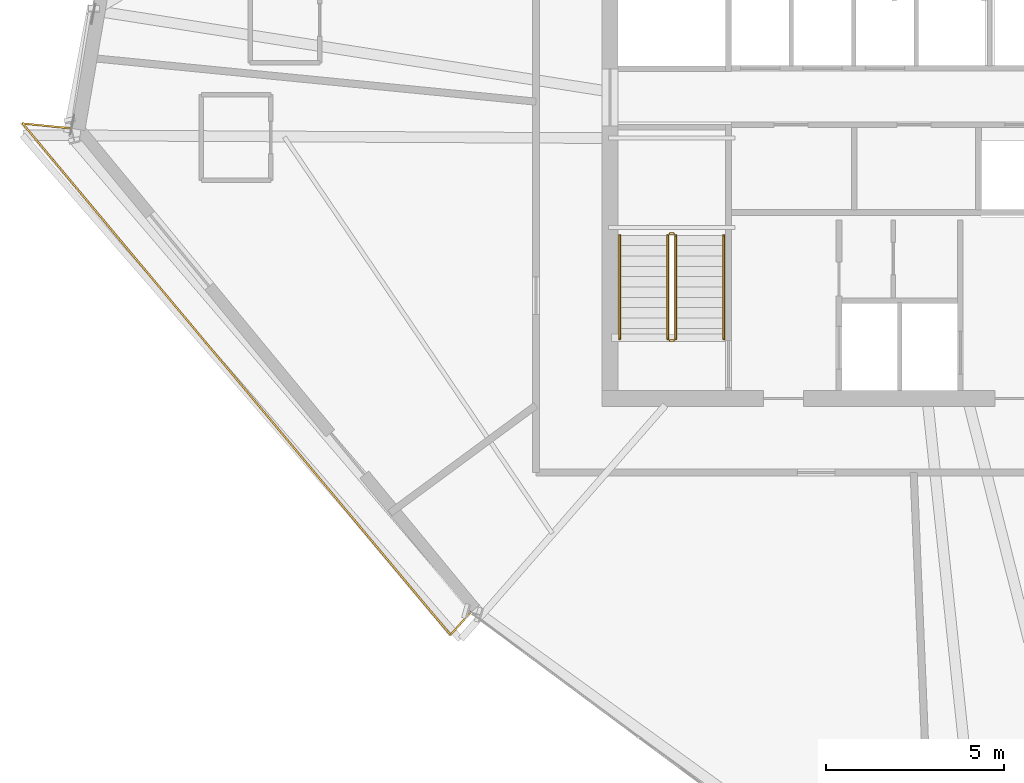
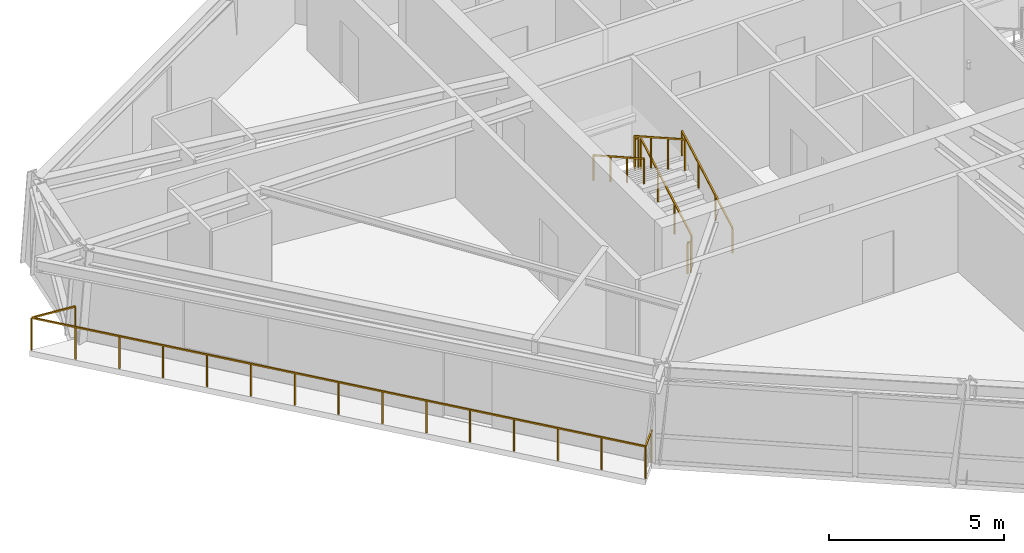
# One storey, part 12 of 14: 7 railings.
"""IFC4 building model written with IfcOpenShell, lengths in metres."""

from ifc_helpers import new_model, si_unit, direction, frame, origin, origin_2d, place, context, subcontext, project, spatial, rectangle, extrude, material, type_object, element, save


model = new_model("IFC4")

# Units and contexts
model_context = context("Model", 3, precision=1e-05, world=origin(), true_north=direction((0.0, 1.0)))
body_context = subcontext(model_context, "Body", "Model", "MODEL_VIEW")
ifc_project = project(units=[si_unit("LENGTHUNIT", "METRE"), si_unit("AREAUNIT", "SQUARE_METRE"), si_unit("VOLUMEUNIT", "CUBIC_METRE"), si_unit("PLANEANGLEUNIT", "RADIAN"), si_unit("MASSUNIT", "GRAM", prefix="KILO")], contexts=[model_context])

# Site, building, storey
site_placement = place(None, origin())
site = spatial("IfcSite", under=ifc_project, at=site_placement, CompositionType="ELEMENT")
building_placement = place(site_placement, origin())
building = spatial("IfcBuilding", under=site, at=building_placement, Name="Olszyna Solenne Hotel", CompositionType="ELEMENT")
storey_placement = place(building_placement, frame((0.0, 0.0, 230.89990234375)))
storey = spatial("IfcBuildingStorey", under=building, at=storey_placement, Name="L61", CompositionType="ELEMENT", Elevation=230.89990234375)

# Railings
ifc_material_1 = material(Name="Anodised bronze aluminium", Category="aluminium")
railing_type_1 = type_object("IfcRailingType", Name="GR-110", PredefinedType="BALUSTRADE", material=ifc_material_1)
railing_1_placement = place(storey_placement, frame((14.77587890625, 26.850341796875, 0.0)))
element("IfcRailing", 1, at=railing_1_placement, inside=storey, type_object=railing_type_1, Name="Loggia balcony balustrade guard GR-L61-LG2", PredefinedType="BALUSTRADE", context=body_context, shape_type="SweptSolid", body=[
    extrude(rectangle(XDim=0.048095703125, YDim=0.048095703125, at=origin_2d()), frame((0.0, 0.0, 1.1259765625), z_axis=(-0.995003834553, 0.099836712807, 0.0), x_axis=(-0.099836712807, -0.995003834553, 0.0)), (0.0, 0.0, 1.0), 1.379150390625),
    extrude(rectangle(XDim=0.048095703125, YDim=0.048095703125, at=origin_2d()), frame((-1.372314453125, 0.1376953125, 1.1259765625), z_axis=(0.641713700524, -0.766944278654, 0.0), x_axis=(0.766944278654, 0.641713700524, 0.0)), (0.0, 0.0, 1.0), 18.701904296875),
    extrude(rectangle(XDim=0.048095703125, YDim=0.048095703125, at=origin_2d()), frame((10.62890625, -14.20556640625, 1.1259765625), z_axis=(0.66752846445, 0.744584279413, 0.0), x_axis=(-0.744584279413, 0.66752846445, 0.0)), (0.0, 0.0, 1.0), 0.845947265625),
    extrude(rectangle(XDim=0.0419921875, YDim=0.0419921875, at=origin_2d()), origin(), (0.0, 0.0, 1.0), 1.101806640625),
    extrude(rectangle(XDim=0.0419921875, YDim=0.0419921875, at=origin_2d()), frame((-1.372314453125, 0.1376953125, 0.0)), (0.0, 0.0, 1.0), 1.101806640625),
    extrude(rectangle(XDim=0.0419921875, YDim=0.0419921875, at=origin_2d()), frame((-0.51513671875, -0.88671875, 0.0)), (0.0, 0.0, 1.0), 1.101806640625),
    extrude(rectangle(XDim=0.0419921875, YDim=0.0419921875, at=origin_2d()), frame((0.342041015625, -1.911376953125, 0.0)), (0.0, 0.0, 1.0), 1.101806640625),
    extrude(rectangle(XDim=0.0419921875, YDim=0.0419921875, at=origin_2d()), frame((1.199462890625, -2.935791015625, 0.0)), (0.0, 0.0, 1.0), 1.101806640625),
    extrude(rectangle(XDim=0.0419921875, YDim=0.0419921875, at=origin_2d()), frame((2.056640625, -3.96044921875, 0.0)), (0.0, 0.0, 1.0), 1.101806640625),
    extrude(rectangle(XDim=0.0419921875, YDim=0.0419921875, at=origin_2d()), frame((2.913818359375, -4.98486328125, 0.0)), (0.0, 0.0, 1.0), 1.101806640625),
    extrude(rectangle(XDim=0.0419921875, YDim=0.0419921875, at=origin_2d()), frame((3.77099609375, -6.009521484375, 0.0)), (0.0, 0.0, 1.0), 1.101806640625),
    extrude(rectangle(XDim=0.0419921875, YDim=0.0419921875, at=origin_2d()), frame((4.62841796875, -7.033935546875, 0.0)), (0.0, 0.0, 1.0), 1.101806640625),
    extrude(rectangle(XDim=0.0419921875, YDim=0.0419921875, at=origin_2d()), frame((5.485595703125, -8.058349609375, 0.0)), (0.0, 0.0, 1.0), 1.101806640625),
    extrude(rectangle(XDim=0.0419921875, YDim=0.0419921875, at=origin_2d()), frame((6.3427734375, -9.0830078125, 0.0)), (0.0, 0.0, 1.0), 1.101806640625),
    extrude(rectangle(XDim=0.0419921875, YDim=0.0419921875, at=origin_2d()), frame((7.199951171875, -10.107421875, 0.0)), (0.0, 0.0, 1.0), 1.101806640625),
    extrude(rectangle(XDim=0.0419921875, YDim=0.0419921875, at=origin_2d()), frame((8.05712890625, -11.132080078125, 0.0)), (0.0, 0.0, 1.0), 1.101806640625),
    extrude(rectangle(XDim=0.0419921875, YDim=0.0419921875, at=origin_2d()), frame((8.91455078125, -12.156494140625, 0.0)), (0.0, 0.0, 1.0), 1.101806640625),
    extrude(rectangle(XDim=0.0419921875, YDim=0.0419921875, at=origin_2d()), frame((9.771728515625, -13.18115234375, 0.0)), (0.0, 0.0, 1.0), 1.101806640625),
    extrude(rectangle(XDim=0.0419921875, YDim=0.0419921875, at=origin_2d()), frame((10.62890625, -14.20556640625, 0.0)), (0.0, 0.0, 1.0), 1.101806640625),
    extrude(rectangle(XDim=0.0419921875, YDim=0.0419921875, at=origin_2d()), frame((11.193603515625, -13.57568359375, 0.0)), (0.0, 0.0, 1.0), 1.101806640625),
])
railing_2_placement = place(storey_placement, frame((31.719970703125, 20.949951171875, 0.163818359375)))
element("IfcRailing", 2, at=railing_2_placement, inside=storey, type_object=railing_type_1, Name="L61 ST1 stair guard 1", PredefinedType="BALUSTRADE", context=body_context, shape_type="SweptSolid", body=[
    extrude(rectangle(XDim=0.048095703125, YDim=0.048095703125, at=origin_2d()), frame((0.0, 0.0, 1.076171875), z_axis=(0.0, 0.870946286338, 0.49137823142), x_axis=(-1.0, 0.0, 0.0)), (0.0, 0.0, 1.0), 3.329833984375),
    extrude(rectangle(XDim=0.0419921875, YDim=0.0419921875, at=origin_2d()), origin(), (0.0, 0.0, 1.0), 1.052001953125),
    extrude(rectangle(XDim=0.0419921875, YDim=0.0419921875, at=origin_2d()), frame((0.0, 0.966796875, 0.54541015625)), (0.0, 0.0, 1.0), 1.052001953125),
    extrude(rectangle(XDim=0.0419921875, YDim=0.0419921875, at=origin_2d()), frame((0.0, 1.933349609375, 1.0908203125)), (0.0, 0.0, 1.0), 1.052001953125),
    extrude(rectangle(XDim=0.0419921875, YDim=0.0419921875, at=origin_2d()), frame((0.0, 2.900146484375, 1.63623046875)), (0.0, 0.0, 1.0), 1.052001953125),
])
railing_3_placement = place(storey_placement, frame((31.669921875, 23.89990234375, 1.800048828125)))
element("IfcRailing", 3, at=railing_3_placement, inside=storey, type_object=railing_type_1, Name="L61 ST1 stair guard 2", PredefinedType="BALUSTRADE", context=body_context, shape_type="SweptSolid", body=[
    extrude(rectangle(XDim=0.048095703125, YDim=0.048095703125, at=origin_2d()), frame((0.0, 0.0, 1.076171875), z_axis=(-1.0, 0.0, 0.0), x_axis=(0.0, -1.0, 0.0)), (0.0, 0.0, 1.0), 0.119873046875),
    extrude(rectangle(XDim=0.0419921875, YDim=0.0419921875, at=origin_2d()), origin(), (0.0, 0.0, 1.0), 1.052001953125),
    extrude(rectangle(XDim=0.0419921875, YDim=0.0419921875, at=origin_2d()), frame((-0.119873046875, 0.0, 0.0)), (0.0, 0.0, 1.0), 1.052001953125),
])
railing_4_placement = place(storey_placement, frame((31.5, 23.85009765625, 1.963623046875)))
element("IfcRailing", 4, at=railing_4_placement, inside=storey, type_object=railing_type_1, Name="L61 ST1 stair guard 3", PredefinedType="BALUSTRADE", context=body_context, shape_type="SweptSolid", body=[
    extrude(rectangle(XDim=0.048095703125, YDim=0.048095703125, at=origin_2d()), frame((0.0, 0.0, 1.076171875), z_axis=(0.0, -0.870914908162, 0.491433843708), x_axis=(1.0, 0.0, 0.0)), (0.0, 0.0, 1.0), 3.330078125),
    extrude(rectangle(XDim=0.0419921875, YDim=0.0419921875, at=origin_2d()), origin(), (0.0, 0.0, 1.0), 1.052001953125),
    extrude(rectangle(XDim=0.0419921875, YDim=0.0419921875, at=origin_2d()), frame((0.0, -0.966796875, 0.54541015625)), (0.0, 0.0, 1.0), 1.052001953125),
    extrude(rectangle(XDim=0.0419921875, YDim=0.0419921875, at=origin_2d()), frame((0.0, -1.933349609375, 1.091064453125)), (0.0, 0.0, 1.0), 1.052001953125),
    extrude(rectangle(XDim=0.0419921875, YDim=0.0419921875, at=origin_2d()), frame((0.0, -2.900146484375, 1.636474609375)), (0.0, 0.0, 1.0), 1.052001953125),
])
railing_5_placement = place(storey_placement, frame((31.669921875, 20.89990234375, 0.0)))
element("IfcRailing", 5, at=railing_5_placement, inside=storey, type_object=railing_type_1, Name="L61 ST1 stair guard 4", PredefinedType="BALUSTRADE", context=body_context, shape_type="SweptSolid", body=[
    extrude(rectangle(XDim=0.048095703125, YDim=0.048095703125, at=origin_2d()), frame((0.0, 0.0, 1.076171875), z_axis=(-1.0, 0.0, 0.0), x_axis=(0.0, -1.0, 0.0)), (0.0, 0.0, 1.0), 0.119873046875),
    extrude(rectangle(XDim=0.0419921875, YDim=0.0419921875, at=origin_2d()), origin(), (0.0, 0.0, 1.0), 1.052001953125),
    extrude(rectangle(XDim=0.0419921875, YDim=0.0419921875, at=origin_2d()), frame((-0.119873046875, 0.0, 0.0)), (0.0, 0.0, 1.0), 1.052001953125),
])
ifc_material_2 = material(Name="Steel S355J2", Category="steel")
railing_type_2 = type_object("IfcRailingType", Name="HR-090", PredefinedType="HANDRAIL", material=ifc_material_2)
railing_6_placement = place(storey_placement, frame((33.070068359375, 20.949951171875, 0.163818359375)))
element("IfcRailing", 6, at=railing_6_placement, inside=storey, type_object=railing_type_2, Name="L61 ST1 stair handrail 1", PredefinedType="HANDRAIL", context=body_context, shape_type="SweptSolid", body=[
    extrude(rectangle(XDim=0.048095703125, YDim=0.048095703125, at=origin_2d()), frame((0.0, 0.0, 0.8759765625), z_axis=(0.0, 0.870946286338, 0.49137823142), x_axis=(-1.0, 0.0, 0.0)), (0.0, 0.0, 1.0), 3.329833984375),
    extrude(rectangle(XDim=0.0419921875, YDim=0.0419921875, at=origin_2d()), origin(), (0.0, 0.0, 1.0), 0.851806640625),
    extrude(rectangle(XDim=0.0419921875, YDim=0.0419921875, at=origin_2d()), frame((0.0, 0.966796875, 0.54541015625)), (0.0, 0.0, 1.0), 0.851806640625),
    extrude(rectangle(XDim=0.0419921875, YDim=0.0419921875, at=origin_2d()), frame((0.0, 1.933349609375, 1.0908203125)), (0.0, 0.0, 1.0), 0.851806640625),
    extrude(rectangle(XDim=0.0419921875, YDim=0.0419921875, at=origin_2d()), frame((0.0, 2.900146484375, 1.63623046875)), (0.0, 0.0, 1.0), 0.851806640625),
])
railing_7_placement = place(storey_placement, frame((30.14990234375, 23.85009765625, 1.963623046875)))
element("IfcRailing", 7, at=railing_7_placement, inside=storey, type_object=railing_type_2, Name="L61 ST1 stair handrail 2", PredefinedType="HANDRAIL", context=body_context, shape_type="SweptSolid", body=[
    extrude(rectangle(XDim=0.048095703125, YDim=0.048095703125, at=origin_2d()), frame((0.0, 0.0, 0.8759765625), z_axis=(0.0, -0.870914908162, 0.491433843708), x_axis=(1.0, 0.0, 0.0)), (0.0, 0.0, 1.0), 3.330078125),
    extrude(rectangle(XDim=0.0419921875, YDim=0.0419921875, at=origin_2d()), origin(), (0.0, 0.0, 1.0), 0.851806640625),
    extrude(rectangle(XDim=0.0419921875, YDim=0.0419921875, at=origin_2d()), frame((0.0, -0.966796875, 0.54541015625)), (0.0, 0.0, 1.0), 0.851806640625),
    extrude(rectangle(XDim=0.0419921875, YDim=0.0419921875, at=origin_2d()), frame((0.0, -1.933349609375, 1.091064453125)), (0.0, 0.0, 1.0), 0.851806640625),
    extrude(rectangle(XDim=0.0419921875, YDim=0.0419921875, at=origin_2d()), frame((0.0, -2.900146484375, 1.636474609375)), (0.0, 0.0, 1.0), 0.851806640625),
])

save(model, "model.ifc")
